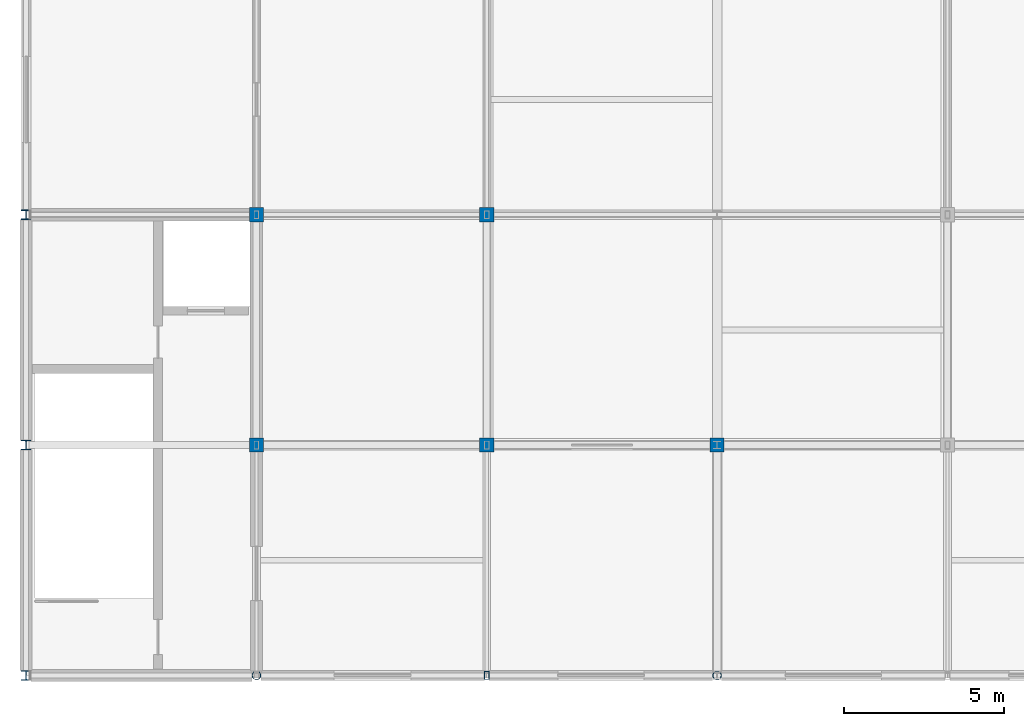
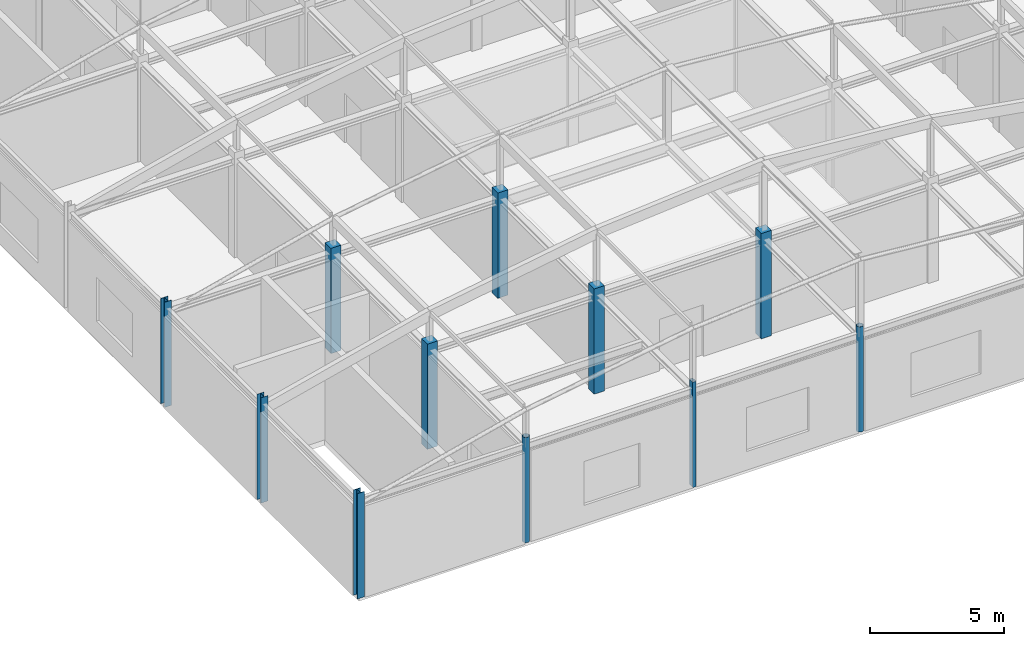
# One storey, part 1 of 23: 11 columns.
"""IFC4 building model written with IfcOpenShell, lengths in metres."""

from ifc_helpers import new_model, si_unit, direction, frame, origin, origin_2d, place, context, subcontext, project, spatial, rectangle, hollow_rectangle, hollow_circle, i_section, extrude, material, material_profile, profile_set, type_object, element, save


model = new_model("IFC4")

# Units and contexts
model_context = context("Model", 3, precision=1e-05, world=origin(), true_north=direction((0.0, 1.0)))
body_context = subcontext(model_context, "Body", "Model", "MODEL_VIEW")
ifc_project = project(units=[si_unit("LENGTHUNIT", "METRE"), si_unit("AREAUNIT", "SQUARE_METRE"), si_unit("VOLUMEUNIT", "CUBIC_METRE"), si_unit("PLANEANGLEUNIT", "RADIAN"), si_unit("MASSUNIT", "GRAM", prefix="KILO")], contexts=[model_context])

# Site, building, storey
site_placement = place(None, origin())
site = spatial("IfcSite", under=ifc_project, at=site_placement, CompositionType="ELEMENT")
building_placement = place(site_placement, origin())
building = spatial("IfcBuilding", under=site, at=building_placement, Name="Cendaluz Park School", CompositionType="ELEMENT")
storey_placement = place(building_placement, frame((0.0, 0.0, 67.199951171875)))
storey = spatial("IfcBuildingStorey", under=building, at=storey_placement, Name="L16", CompositionType="ELEMENT", Elevation=67.199951171875)

# Columns
ifc_material_1 = material(Name="Glulam GL32h", Category="wood")
ifc_material_profile_1 = material_profile(ifc_material_1, rectangle(XDim=0.43994140625, YDim=0.43994140625, at=origin_2d()), Name="GL32h 440x440", Category="wood")
ifc_profile_set_1 = profile_set([ifc_material_profile_1], Name="Glulam GL32h")
column_type_1 = type_object("IfcColumnType", Name="C-GL03", PredefinedType="COLUMN", material=ifc_profile_set_1)
for number, where, z_axis, x_axis, name in (
    (1, (72.0, 21.60009765625, 0.0), (0.0, 0.0, 1.0), (1.0, 0.0, 0.0), "C-L16-CGL03-009"),
    (2, (72.0, 28.800048828125, 0.0), (0.0, 0.0, 1.0), (1.0, 0.0, 0.0), "C-L16-CGL03-010"),
    (3, (79.199951171875, 21.60009765625, 0.0), (0.0, 0.0, 1.0), (1.0, 0.0, 0.0), "C-L16-CGL03-016"),
    (4, (79.199951171875, 28.800048828125, 0.0), (0.0, 0.0, 1.0), (1.0, 0.0, 0.0), "C-L16-CGL03-017"),
    (5, (86.39990234375, 21.60009765625, 0.0), (0.0, 0.0, 1.0), (1.0, 0.0, 0.0), "C-L16-CGL03-023"),
):
    element("IfcColumn", number, at=place(storey_placement, frame(where, z_axis=z_axis, x_axis=x_axis)), inside=storey, type_object=column_type_1, Name=name, PredefinedType="COLUMN", context=body_context, shape_type="SweptSolid", body=[
        extrude(rectangle(XDim=0.43994140625, YDim=0.43994140625, at=origin_2d()), origin(), (0.0, 0.0, 1.0), 4.800048828125),
    ])
ifc_material_2 = material(Name="Steel S355", Category="steel")
ifc_material_profile_2 = material_profile(ifc_material_2, i_section(OverallWidth=0.300048828125, OverallDepth=0.300048828125, WebThickness=0.010986328125, FlangeThickness=0.01904296875, FilletRadius=0.027099609375, at=origin_2d()), Name="HEB 300", Category="steel")
ifc_profile_set_2 = profile_set([ifc_material_profile_2], Name="Steel S355")
column_type_2 = type_object("IfcColumnType", Name="C-ST01", PredefinedType="COLUMN", material=ifc_profile_set_2)
for number, where, z_axis, x_axis, name in (
    (6, (64.800048828125, 14.39990234375, 0.0), (0.0, 0.0, 1.0), (1.0, 0.0, 0.0), "C-L16-CST01-001"),
    (7, (64.800048828125, 28.800048828125, 0.0), (0.0, 0.0, 1.0), (1.0, 0.0, 0.0), "C-L16-CST01-003"),
):
    element("IfcColumn", number, at=place(storey_placement, frame(where, z_axis=z_axis, x_axis=x_axis)), inside=storey, type_object=column_type_2, Name=name, PredefinedType="COLUMN", context=body_context, shape_type="SweptSolid", body=[
        extrude(i_section(OverallWidth=0.300048828125, OverallDepth=0.300048828125, WebThickness=0.010986328125, FlangeThickness=0.01904296875, FilletRadius=0.027099609375, at=origin_2d()), origin(), (0.0, 0.0, 1.0), 4.800048828125),
    ])
ifc_material_profile_3 = material_profile(ifc_material_2, i_section(OverallWidth=0.300048828125, OverallDepth=0.2900390625, WebThickness=0.009033203125, FlangeThickness=0.013916015625, FilletRadius=0.027099609375, at=origin_2d()), Name="HEA 300", Category="steel")
ifc_profile_set_3 = profile_set([ifc_material_profile_3], Name="Steel S355")
column_type_3 = type_object("IfcColumnType", Name="C-ST02", PredefinedType="COLUMN", material=ifc_profile_set_3)
column_1_placement = place(storey_placement, frame((64.800048828125, 21.60009765625, 0.0), z_axis=(0.0, 0.0, 1.0), x_axis=(1.0, 0.0, 0.0)))
element("IfcColumn", 8, at=column_1_placement, inside=storey, type_object=column_type_3, Name="C-L16-CST02-002", PredefinedType="COLUMN", context=body_context, shape_type="SweptSolid", body=[
    extrude(i_section(OverallWidth=0.300048828125, OverallDepth=0.2900390625, WebThickness=0.009033203125, FlangeThickness=0.013916015625, FilletRadius=0.027099609375, at=origin_2d()), origin(), (0.0, 0.0, 1.0), 4.800048828125),
])
ifc_material_profile_4 = material_profile(ifc_material_2, hollow_circle(Radius=0.136474609375, WallThickness=0.011962890625, at=origin_2d()), Name="CHS 273x12", Category="steel")
ifc_profile_set_4 = profile_set([ifc_material_profile_4], Name="Steel S355")
column_type_4 = type_object("IfcColumnType", Name="C-ST03", PredefinedType="COLUMN", material=ifc_profile_set_4)
for number, where, z_axis, x_axis, name in (
    (9, (72.0, 14.39990234375, 0.0), (0.0, 0.0, 1.0), (1.0, 0.0, 0.0), "C-L16-CST03-008"),
    (10, (86.39990234375, 14.39990234375, 0.0), (0.0, 0.0, 1.0), (1.0, 0.0, 0.0), "C-L16-CST03-022"),
):
    element("IfcColumn", number, at=place(storey_placement, frame(where, z_axis=z_axis, x_axis=x_axis)), inside=storey, type_object=column_type_4, Name=name, PredefinedType="COLUMN", context=body_context, shape_type="SweptSolid", body=[
        extrude(hollow_circle(Radius=0.136474609375, WallThickness=0.011962890625, at=origin_2d()), origin(), (0.0, 0.0, 1.0), 4.800048828125),
    ])
ifc_material_profile_5 = material_profile(ifc_material_2, hollow_rectangle(XDim=0.14990234375, YDim=0.25, WallThickness=0.010009765625, at=origin_2d()), Name="RHS 250x150x10", Category="steel")
ifc_profile_set_5 = profile_set([ifc_material_profile_5], Name="Steel S355")
column_type_5 = type_object("IfcColumnType", Name="C-ST04", PredefinedType="COLUMN", material=ifc_profile_set_5)
column_2_placement = place(storey_placement, frame((79.199951171875, 14.39990234375, 0.0), z_axis=(0.0, 0.0, 1.0), x_axis=(1.0, 0.0, 0.0)))
element("IfcColumn", 11, at=column_2_placement, inside=storey, type_object=column_type_5, Name="C-L16-CST04-015", PredefinedType="COLUMN", context=body_context, shape_type="SweptSolid", body=[
    extrude(hollow_rectangle(XDim=0.14990234375, YDim=0.25, WallThickness=0.010009765625, at=origin_2d()), origin(), (0.0, 0.0, 1.0), 4.800048828125),
])

save(model, "model.ifc")
